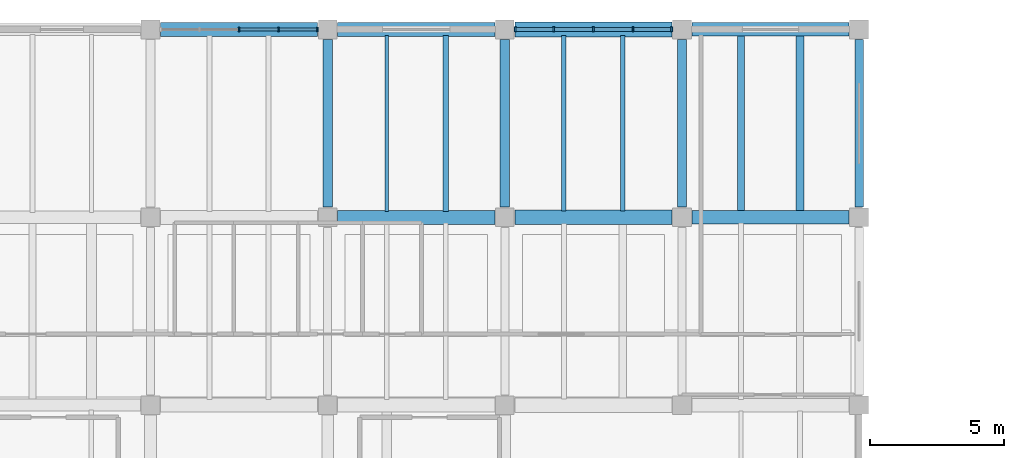
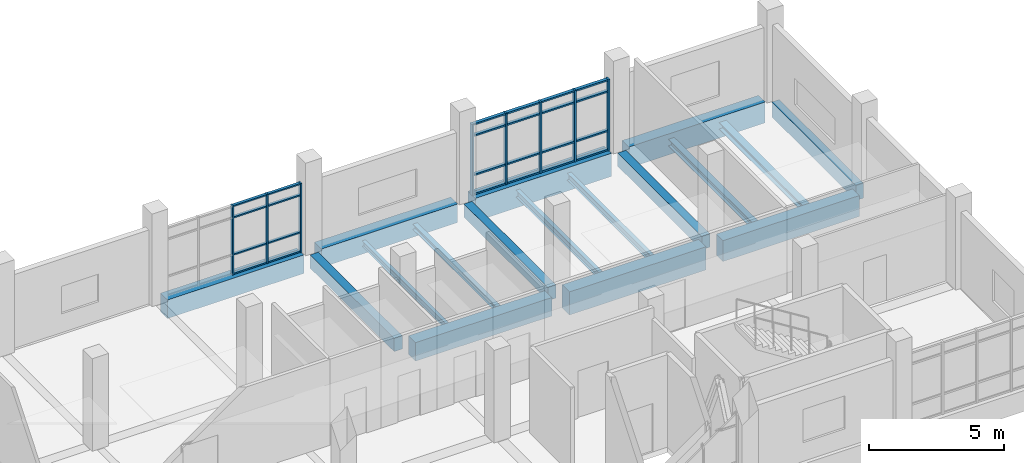
# One storey, part 7 of 20: 32 members, 17 beams, 2 elements without a shape of their own.
"""IFC4 building model written with IfcOpenShell, lengths in metres."""

from ifc_helpers import new_model, si_unit, direction, frame, origin, origin_2d, place, context, subcontext, project, spatial, rectangle, i_section, extrude, material, material_profile, profile_set, type_object, element, aggregate, save


model = new_model("IFC4")

# Units and contexts
model_context = context("Model", 3, precision=1e-05, world=origin(), true_north=direction((0.0, 1.0)))
body_context = subcontext(model_context, "Body", "Model", "MODEL_VIEW")
ifc_project = project(units=[si_unit("LENGTHUNIT", "METRE"), si_unit("AREAUNIT", "SQUARE_METRE"), si_unit("VOLUMEUNIT", "CUBIC_METRE"), si_unit("PLANEANGLEUNIT", "RADIAN"), si_unit("MASSUNIT", "GRAM", prefix="KILO")], contexts=[model_context])

# Site, building, storey
site_placement = place(None, origin())
site = spatial("IfcSite", under=ifc_project, at=site_placement, CompositionType="ELEMENT")
building_placement = place(site_placement, origin())
building = spatial("IfcBuilding", under=site, at=building_placement, Name="Ciguamira Faculty of Natural Sciences", CompositionType="ELEMENT")
storey_placement = place(building_placement, frame((0.0, 0.0, 21.0)))
storey = spatial("IfcBuildingStorey", under=building, at=storey_placement, Name="L05", CompositionType="ELEMENT", Elevation=21.0)

# Curtain wall, members
ifc_material_1 = material(Name="Anodized aluminium curtain wall", Category="aluminium")
curtain_wall_type_1 = type_object("IfcCurtainWallType", Name="CurtainWall_CW-07", PredefinedType="USERDEFINED", material=ifc_material_1)
curtain_wall_1_placement = place(storey_placement, origin())
curtain_wall_1 = element("IfcCurtainWall", 1, at=curtain_wall_1_placement, inside=storey, type_object=curtain_wall_type_1, Name="L05 unitised curtain wall 0139", ObjectType="UNITISED CURTAIN WALL", PredefinedType="USERDEFINED")
ifc_material_2 = material(Name="Anodized aluminium mullion", Category="aluminium")
ifc_material_profile_1 = material_profile(ifc_material_2, rectangle(XDim=0.06005859375, YDim=0.159912109375, at=origin_2d()), Name="ALU-MUL-60X160")
ifc_profile_set_1 = profile_set([ifc_material_profile_1], Name="Anodized aluminium mullion")
member_type_1 = type_object("IfcMemberType", Name="CWMullion_CWM-01", PredefinedType="MULLION", material=ifc_profile_set_1)
member_1_placement = place(storey_placement, frame((87.0, 115.0, 0.0), z_axis=(0.0, 0.0, 1.0), x_axis=(1.0, 0.0, 0.0)))
member_1 = element("IfcMember", 2, at=member_1_placement, type_object=member_type_1, Name="CW-07 mullion 3", PredefinedType="MULLION", context=body_context, shape_type="SweptSolid", body=[
    extrude(rectangle(XDim=0.06005859375, YDim=0.159912109375, at=origin_2d()), origin(), (0.0, 0.0, 1.0), 3.135009765625),
])
member_2_placement = place(storey_placement, frame((88.47509765625, 115.0, 0.0), z_axis=(0.0, 0.0, 1.0), x_axis=(1.0, 0.0, 0.0)))
member_2 = element("IfcMember", 3, at=member_2_placement, type_object=member_type_1, Name="CW-07 mullion 4", PredefinedType="MULLION", context=body_context, shape_type="SweptSolid", body=[
    extrude(rectangle(XDim=0.06005859375, YDim=0.159912109375, at=origin_2d()), origin(), (0.0, 0.0, 1.0), 3.135009765625),
])
member_3_placement = place(storey_placement, frame((89.919921875, 115.0, 0.0), z_axis=(0.0, 0.0, 1.0), x_axis=(1.0, 0.0, 0.0)))
member_3 = element("IfcMember", 4, at=member_3_placement, type_object=member_type_1, Name="CW-07 mullion 5", PredefinedType="MULLION", context=body_context, shape_type="SweptSolid", body=[
    extrude(rectangle(XDim=0.06005859375, YDim=0.159912109375, at=origin_2d()), origin(), (0.0, 0.0, 1.0), 3.135009765625),
])

curtain_wall_type_2 = type_object("IfcCurtainWallType", Name="CurtainWall_CW-08", PredefinedType="USERDEFINED", material=ifc_material_1)
curtain_wall_2_placement = place(storey_placement, origin())
curtain_wall_2 = element("IfcCurtainWall", 5, at=curtain_wall_2_placement, inside=storey, type_object=curtain_wall_type_2, Name="L05 unitised curtain wall 0140", ObjectType="UNITISED CURTAIN WALL", PredefinedType="USERDEFINED")
ifc_material_profile_2 = material_profile(ifc_material_2, rectangle(XDim=0.070068359375, YDim=0.179931640625, at=origin_2d()), Name="ALU-MUL-70X180")
ifc_profile_set_2 = profile_set([ifc_material_profile_2], Name="Anodized aluminium mullion")
member_type_2 = type_object("IfcMemberType", Name="CWMullion_CWM-02", PredefinedType="MULLION", material=ifc_profile_set_2)
member_4_placement = place(storey_placement, frame((97.284912109375, 115.0, 0.0), z_axis=(0.0, 0.0, 1.0), x_axis=(1.0, 0.0, 0.0)))
member_4 = element("IfcMember", 6, at=member_4_placement, type_object=member_type_2, Name="CW-08 mullion 1", PredefinedType="MULLION", context=body_context, shape_type="SweptSolid", body=[
    extrude(rectangle(XDim=0.070068359375, YDim=0.179931640625, at=origin_2d()), origin(), (0.0, 0.0, 1.0), 3.235107421875),
])
member_5_placement = place(storey_placement, frame((98.72509765625, 115.0, 0.0), z_axis=(0.0, 0.0, 1.0), x_axis=(1.0, 0.0, 0.0)))
member_5 = element("IfcMember", 7, at=member_5_placement, type_object=member_type_2, Name="CW-08 mullion 2", PredefinedType="MULLION", context=body_context, shape_type="SweptSolid", body=[
    extrude(rectangle(XDim=0.070068359375, YDim=0.179931640625, at=origin_2d()), origin(), (0.0, 0.0, 1.0), 3.235107421875),
])
member_6_placement = place(storey_placement, frame((100.199951171875, 115.0, 0.0), z_axis=(0.0, 0.0, 1.0), x_axis=(1.0, 0.0, 0.0)))
member_6 = element("IfcMember", 8, at=member_6_placement, type_object=member_type_2, Name="CW-08 mullion 3", PredefinedType="MULLION", context=body_context, shape_type="SweptSolid", body=[
    extrude(rectangle(XDim=0.070068359375, YDim=0.179931640625, at=origin_2d()), origin(), (0.0, 0.0, 1.0), 3.235107421875),
])
member_7_placement = place(storey_placement, frame((101.675048828125, 115.0, 0.0), z_axis=(0.0, 0.0, 1.0), x_axis=(1.0, 0.0, 0.0)))
member_7 = element("IfcMember", 9, at=member_7_placement, type_object=member_type_2, Name="CW-08 mullion 4", PredefinedType="MULLION", context=body_context, shape_type="SweptSolid", body=[
    extrude(rectangle(XDim=0.070068359375, YDim=0.179931640625, at=origin_2d()), origin(), (0.0, 0.0, 1.0), 3.235107421875),
])
member_8_placement = place(storey_placement, frame((103.114990234375, 115.0, 0.0), z_axis=(0.0, 0.0, 1.0), x_axis=(1.0, 0.0, 0.0)))
member_8 = element("IfcMember", 10, at=member_8_placement, type_object=member_type_2, Name="CW-08 mullion 5", PredefinedType="MULLION", context=body_context, shape_type="SweptSolid", body=[
    extrude(rectangle(XDim=0.070068359375, YDim=0.179931640625, at=origin_2d()), origin(), (0.0, 0.0, 1.0), 3.235107421875),
])

# Member
ifc_material_3 = material(Name="Anodized aluminium transom", Category="aluminium")
ifc_material_profile_3 = material_profile(ifc_material_3, rectangle(XDim=0.06005859375, YDim=0.1201171875, at=origin_2d()), Name="ALU-TRN-60X120")
ifc_profile_set_3 = profile_set([ifc_material_profile_3], Name="Anodized aluminium transom")
member_type_3 = type_object("IfcMemberType", Name="CWTransom_CWT-01", PredefinedType="USERDEFINED", material=ifc_profile_set_3)
member_9_placement = place(storey_placement, frame((87.030029296875, 115.0, 0.030029296875), z_axis=(1.0, 0.0, 0.0), x_axis=(0.0, 0.0, 1.0)))
member_9 = element("IfcMember", 11, at=member_9_placement, type_object=member_type_3, Name="CW-07 transom 3.1", ObjectType="TRANSOM", PredefinedType="USERDEFINED", context=body_context, shape_type="SweptSolid", body=[
    extrude(rectangle(XDim=0.06005859375, YDim=0.1201171875, at=origin_2d()), origin(), (0.0, 0.0, 1.0), 1.4150390625),
])

member_10_placement = place(storey_placement, frame((87.030029296875, 115.0, 0.89990234375), z_axis=(1.0, 0.0, 0.0), x_axis=(0.0, 0.0, 1.0)))
member_10 = element("IfcMember", 12, at=member_10_placement, type_object=member_type_3, Name="CW-07 transom 3.2", ObjectType="TRANSOM", PredefinedType="USERDEFINED", context=body_context, shape_type="SweptSolid", body=[
    extrude(rectangle(XDim=0.06005859375, YDim=0.1201171875, at=origin_2d()), origin(), (0.0, 0.0, 1.0), 1.4150390625),
])

member_11_placement = place(storey_placement, frame((87.030029296875, 115.0, 2.5849609375), z_axis=(1.0, 0.0, 0.0), x_axis=(0.0, 0.0, 1.0)))
member_11 = element("IfcMember", 13, at=member_11_placement, type_object=member_type_3, Name="CW-07 transom 3.3", ObjectType="TRANSOM", PredefinedType="USERDEFINED", context=body_context, shape_type="SweptSolid", body=[
    extrude(rectangle(XDim=0.06005859375, YDim=0.1201171875, at=origin_2d()), origin(), (0.0, 0.0, 1.0), 1.4150390625),
])

member_12_placement = place(storey_placement, frame((87.030029296875, 115.0, 3.10498046875), z_axis=(1.0, 0.0, 0.0), x_axis=(0.0, 0.0, 1.0)))
member_12 = element("IfcMember", 14, at=member_12_placement, type_object=member_type_3, Name="CW-07 transom 3.4", ObjectType="TRANSOM", PredefinedType="USERDEFINED", context=body_context, shape_type="SweptSolid", body=[
    extrude(rectangle(XDim=0.06005859375, YDim=0.1201171875, at=origin_2d()), origin(), (0.0, 0.0, 1.0), 1.4150390625),
])

member_13_placement = place(storey_placement, frame((88.5048828125, 115.0, 0.030029296875), z_axis=(1.0, 0.0, 0.0), x_axis=(0.0, 0.0, 1.0)))
member_13 = element("IfcMember", 15, at=member_13_placement, type_object=member_type_3, Name="CW-07 transom 4.1", ObjectType="TRANSOM", PredefinedType="USERDEFINED", context=body_context, shape_type="SweptSolid", body=[
    extrude(rectangle(XDim=0.06005859375, YDim=0.1201171875, at=origin_2d()), origin(), (0.0, 0.0, 1.0), 1.385009765625),
])

member_14_placement = place(storey_placement, frame((88.5048828125, 115.0, 0.89990234375), z_axis=(1.0, 0.0, 0.0), x_axis=(0.0, 0.0, 1.0)))
member_14 = element("IfcMember", 16, at=member_14_placement, type_object=member_type_3, Name="CW-07 transom 4.2", ObjectType="TRANSOM", PredefinedType="USERDEFINED", context=body_context, shape_type="SweptSolid", body=[
    extrude(rectangle(XDim=0.06005859375, YDim=0.1201171875, at=origin_2d()), origin(), (0.0, 0.0, 1.0), 1.385009765625),
])

member_15_placement = place(storey_placement, frame((88.5048828125, 115.0, 2.5849609375), z_axis=(1.0, 0.0, 0.0), x_axis=(0.0, 0.0, 1.0)))
member_15 = element("IfcMember", 17, at=member_15_placement, type_object=member_type_3, Name="CW-07 transom 4.3", ObjectType="TRANSOM", PredefinedType="USERDEFINED", context=body_context, shape_type="SweptSolid", body=[
    extrude(rectangle(XDim=0.06005859375, YDim=0.1201171875, at=origin_2d()), origin(), (0.0, 0.0, 1.0), 1.385009765625),
])

member_16_placement = place(storey_placement, frame((88.5048828125, 115.0, 3.10498046875), z_axis=(1.0, 0.0, 0.0), x_axis=(0.0, 0.0, 1.0)))
member_16 = element("IfcMember", 18, at=member_16_placement, type_object=member_type_3, Name="CW-07 transom 4.4", ObjectType="TRANSOM", PredefinedType="USERDEFINED", context=body_context, shape_type="SweptSolid", body=[
    extrude(rectangle(XDim=0.06005859375, YDim=0.1201171875, at=origin_2d()), origin(), (0.0, 0.0, 1.0), 1.385009765625),
])

aggregate(curtain_wall_1, [member_1, member_2, member_3, member_9, member_10, member_11, member_12, member_13, member_14, member_15, member_16])

ifc_material_profile_4 = material_profile(ifc_material_3, rectangle(XDim=0.070068359375, YDim=0.139892578125, at=origin_2d()), Name="ALU-TRN-70X140")
ifc_profile_set_4 = profile_set([ifc_material_profile_4], Name="Anodized aluminium transom")
member_type_4 = type_object("IfcMemberType", Name="CWTransom_CWT-02", PredefinedType="USERDEFINED", material=ifc_profile_set_4)
member_17_placement = place(storey_placement, frame((97.320068359375, 115.0, 0.034912109375), z_axis=(1.0, 0.0, 0.0), x_axis=(0.0, 0.0, 1.0)))
member_17 = element("IfcMember", 19, at=member_17_placement, type_object=member_type_4, Name="CW-08 transom 1.1", ObjectType="TRANSOM", PredefinedType="USERDEFINED", context=body_context, shape_type="SweptSolid", body=[
    extrude(rectangle(XDim=0.070068359375, YDim=0.139892578125, at=origin_2d()), origin(), (0.0, 0.0, 1.0), 1.369873046875),
])

member_18_placement = place(storey_placement, frame((97.320068359375, 115.0, 0.89990234375), z_axis=(1.0, 0.0, 0.0), x_axis=(0.0, 0.0, 1.0)))
member_18 = element("IfcMember", 20, at=member_18_placement, type_object=member_type_4, Name="CW-08 transom 1.2", ObjectType="TRANSOM", PredefinedType="USERDEFINED", context=body_context, shape_type="SweptSolid", body=[
    extrude(rectangle(XDim=0.070068359375, YDim=0.139892578125, at=origin_2d()), origin(), (0.0, 0.0, 1.0), 1.369873046875),
])

member_19_placement = place(storey_placement, frame((97.320068359375, 115.0, 2.68505859375), z_axis=(1.0, 0.0, 0.0), x_axis=(0.0, 0.0, 1.0)))
member_19 = element("IfcMember", 21, at=member_19_placement, type_object=member_type_4, Name="CW-08 transom 1.3", ObjectType="TRANSOM", PredefinedType="USERDEFINED", context=body_context, shape_type="SweptSolid", body=[
    extrude(rectangle(XDim=0.070068359375, YDim=0.139892578125, at=origin_2d()), origin(), (0.0, 0.0, 1.0), 1.369873046875),
])

member_20_placement = place(storey_placement, frame((97.320068359375, 115.0, 3.199951171875), z_axis=(1.0, 0.0, 0.0), x_axis=(0.0, 0.0, 1.0)))
member_20 = element("IfcMember", 22, at=member_20_placement, type_object=member_type_4, Name="CW-08 transom 1.4", ObjectType="TRANSOM", PredefinedType="USERDEFINED", context=body_context, shape_type="SweptSolid", body=[
    extrude(rectangle(XDim=0.070068359375, YDim=0.139892578125, at=origin_2d()), origin(), (0.0, 0.0, 1.0), 1.369873046875),
])

member_21_placement = place(storey_placement, frame((98.760009765625, 115.0, 0.034912109375), z_axis=(1.0, 0.0, 0.0), x_axis=(0.0, 0.0, 1.0)))
member_21 = element("IfcMember", 23, at=member_21_placement, type_object=member_type_4, Name="CW-08 transom 2.1", ObjectType="TRANSOM", PredefinedType="USERDEFINED", context=body_context, shape_type="SweptSolid", body=[
    extrude(rectangle(XDim=0.070068359375, YDim=0.139892578125, at=origin_2d()), origin(), (0.0, 0.0, 1.0), 1.405029296875),
])

member_22_placement = place(storey_placement, frame((98.760009765625, 115.0, 0.89990234375), z_axis=(1.0, 0.0, 0.0), x_axis=(0.0, 0.0, 1.0)))
member_22 = element("IfcMember", 24, at=member_22_placement, type_object=member_type_4, Name="CW-08 transom 2.2", ObjectType="TRANSOM", PredefinedType="USERDEFINED", context=body_context, shape_type="SweptSolid", body=[
    extrude(rectangle(XDim=0.070068359375, YDim=0.139892578125, at=origin_2d()), origin(), (0.0, 0.0, 1.0), 1.405029296875),
])

member_23_placement = place(storey_placement, frame((98.760009765625, 115.0, 2.68505859375), z_axis=(1.0, 0.0, 0.0), x_axis=(0.0, 0.0, 1.0)))
member_23 = element("IfcMember", 25, at=member_23_placement, type_object=member_type_4, Name="CW-08 transom 2.3", ObjectType="TRANSOM", PredefinedType="USERDEFINED", context=body_context, shape_type="SweptSolid", body=[
    extrude(rectangle(XDim=0.070068359375, YDim=0.139892578125, at=origin_2d()), origin(), (0.0, 0.0, 1.0), 1.405029296875),
])

member_24_placement = place(storey_placement, frame((98.760009765625, 115.0, 3.199951171875), z_axis=(1.0, 0.0, 0.0), x_axis=(0.0, 0.0, 1.0)))
member_24 = element("IfcMember", 26, at=member_24_placement, type_object=member_type_4, Name="CW-08 transom 2.4", ObjectType="TRANSOM", PredefinedType="USERDEFINED", context=body_context, shape_type="SweptSolid", body=[
    extrude(rectangle(XDim=0.070068359375, YDim=0.139892578125, at=origin_2d()), origin(), (0.0, 0.0, 1.0), 1.405029296875),
])

member_25_placement = place(storey_placement, frame((100.235107421875, 115.0, 0.034912109375), z_axis=(1.0, 0.0, 0.0), x_axis=(0.0, 0.0, 1.0)))
member_25 = element("IfcMember", 27, at=member_25_placement, type_object=member_type_4, Name="CW-08 transom 3.1", ObjectType="TRANSOM", PredefinedType="USERDEFINED", context=body_context, shape_type="SweptSolid", body=[
    extrude(rectangle(XDim=0.070068359375, YDim=0.139892578125, at=origin_2d()), origin(), (0.0, 0.0, 1.0), 1.40478515625),
])

member_26_placement = place(storey_placement, frame((100.235107421875, 115.0, 0.89990234375), z_axis=(1.0, 0.0, 0.0), x_axis=(0.0, 0.0, 1.0)))
member_26 = element("IfcMember", 28, at=member_26_placement, type_object=member_type_4, Name="CW-08 transom 3.2", ObjectType="TRANSOM", PredefinedType="USERDEFINED", context=body_context, shape_type="SweptSolid", body=[
    extrude(rectangle(XDim=0.070068359375, YDim=0.139892578125, at=origin_2d()), origin(), (0.0, 0.0, 1.0), 1.40478515625),
])

member_27_placement = place(storey_placement, frame((100.235107421875, 115.0, 2.68505859375), z_axis=(1.0, 0.0, 0.0), x_axis=(0.0, 0.0, 1.0)))
member_27 = element("IfcMember", 29, at=member_27_placement, type_object=member_type_4, Name="CW-08 transom 3.3", ObjectType="TRANSOM", PredefinedType="USERDEFINED", context=body_context, shape_type="SweptSolid", body=[
    extrude(rectangle(XDim=0.070068359375, YDim=0.139892578125, at=origin_2d()), origin(), (0.0, 0.0, 1.0), 1.40478515625),
])

member_28_placement = place(storey_placement, frame((100.235107421875, 115.0, 3.199951171875), z_axis=(1.0, 0.0, 0.0), x_axis=(0.0, 0.0, 1.0)))
member_28 = element("IfcMember", 30, at=member_28_placement, type_object=member_type_4, Name="CW-08 transom 3.4", ObjectType="TRANSOM", PredefinedType="USERDEFINED", context=body_context, shape_type="SweptSolid", body=[
    extrude(rectangle(XDim=0.070068359375, YDim=0.139892578125, at=origin_2d()), origin(), (0.0, 0.0, 1.0), 1.40478515625),
])

member_29_placement = place(storey_placement, frame((101.7099609375, 115.0, 0.034912109375), z_axis=(1.0, 0.0, 0.0), x_axis=(0.0, 0.0, 1.0)))
member_29 = element("IfcMember", 31, at=member_29_placement, type_object=member_type_4, Name="CW-08 transom 4.1", ObjectType="TRANSOM", PredefinedType="USERDEFINED", context=body_context, shape_type="SweptSolid", body=[
    extrude(rectangle(XDim=0.070068359375, YDim=0.139892578125, at=origin_2d()), origin(), (0.0, 0.0, 1.0), 1.3701171875),
])

member_30_placement = place(storey_placement, frame((101.7099609375, 115.0, 0.89990234375), z_axis=(1.0, 0.0, 0.0), x_axis=(0.0, 0.0, 1.0)))
member_30 = element("IfcMember", 32, at=member_30_placement, type_object=member_type_4, Name="CW-08 transom 4.2", ObjectType="TRANSOM", PredefinedType="USERDEFINED", context=body_context, shape_type="SweptSolid", body=[
    extrude(rectangle(XDim=0.070068359375, YDim=0.139892578125, at=origin_2d()), origin(), (0.0, 0.0, 1.0), 1.3701171875),
])

member_31_placement = place(storey_placement, frame((101.7099609375, 115.0, 2.68505859375), z_axis=(1.0, 0.0, 0.0), x_axis=(0.0, 0.0, 1.0)))
member_31 = element("IfcMember", 33, at=member_31_placement, type_object=member_type_4, Name="CW-08 transom 4.3", ObjectType="TRANSOM", PredefinedType="USERDEFINED", context=body_context, shape_type="SweptSolid", body=[
    extrude(rectangle(XDim=0.070068359375, YDim=0.139892578125, at=origin_2d()), origin(), (0.0, 0.0, 1.0), 1.3701171875),
])

member_32_placement = place(storey_placement, frame((101.7099609375, 115.0, 3.199951171875), z_axis=(1.0, 0.0, 0.0), x_axis=(0.0, 0.0, 1.0)))
member_32 = element("IfcMember", 34, at=member_32_placement, type_object=member_type_4, Name="CW-08 transom 4.4", ObjectType="TRANSOM", PredefinedType="USERDEFINED", context=body_context, shape_type="SweptSolid", body=[
    extrude(rectangle(XDim=0.070068359375, YDim=0.139892578125, at=origin_2d()), origin(), (0.0, 0.0, 1.0), 1.3701171875),
])

aggregate(curtain_wall_2, [member_4, member_5, member_6, member_7, member_8, member_17, member_18, member_19, member_20, member_21, member_22, member_23, member_24, member_25, member_26, member_27, member_28, member_29, member_30, member_31, member_32])

# Beams
ifc_material_4 = material(Name="Concrete C40/50", Category="concrete")
ifc_material_profile_5 = material_profile(ifc_material_4, rectangle(XDim=0.550048828125, YDim=1.050048828125, at=origin_2d()), Name="RC-BM-550X1050")
ifc_profile_set_5 = profile_set([ifc_material_profile_5], Name="Concrete C40/50")
beam_type_1 = type_object("IfcBeamType", Name="RCBeam_BG-01_RC-BM-550X1050", PredefinedType="BEAM", material=ifc_profile_set_5)
for number, where, z_axis, x_axis, name in (
    (35, (97.27490234375, 108.0, -0.52490234375), (1.0, 0.0, 0.0), (0.0, 1.0, 0.0), "L05 RC girder EW-1463"),
    (36, (97.27490234375, 115.0, -0.52490234375), (1.0, 0.0, 0.0), (0.0, 1.0, 0.0), "L05 RC girder EW-1471"),
):
    element("IfcBeam", number, at=place(storey_placement, frame(where, z_axis=z_axis, x_axis=x_axis)), inside=storey, type_object=beam_type_1, Name=name, PredefinedType="BEAM", context=body_context, shape_type="SweptSolid", body=[
        extrude(rectangle(XDim=0.550048828125, YDim=1.050048828125, at=origin_2d()), origin(), (0.0, 0.0, 1.0), 5.85009765625),
    ])
ifc_material_profile_6 = material_profile(ifc_material_4, rectangle(XDim=0.5, YDim=0.949951171875, at=origin_2d()), Name="RC-BM-500X950")
ifc_profile_set_6 = profile_set([ifc_material_profile_6], Name="Concrete C40/50")
beam_type_2 = type_object("IfcBeamType", Name="RCBeam_BG-02_RC-BM-500X950", PredefinedType="BEAM", material=ifc_profile_set_6)
for number, where, z_axis, x_axis, name in (
    (37, (103.875, 108.0, -0.47509765625), (1.0, 0.0, 0.0), (0.0, 1.0, 0.0), "L05 RC girder EW-1464"),
    (38, (103.875, 115.0, -0.47509765625), (1.0, 0.0, 0.0), (0.0, 1.0, 0.0), "L05 RC girder EW-1472"),
):
    element("IfcBeam", number, at=place(storey_placement, frame(where, z_axis=z_axis, x_axis=x_axis)), inside=storey, type_object=beam_type_2, Name=name, PredefinedType="BEAM", context=body_context, shape_type="SweptSolid", body=[
        extrude(rectangle(XDim=0.5, YDim=0.949951171875, at=origin_2d()), origin(), (0.0, 0.0, 1.0), 5.85009765625),
    ])
ifc_material_profile_7 = material_profile(ifc_material_4, rectangle(XDim=0.35009765625, YDim=0.60009765625, at=origin_2d()), Name="RC-BM-350X600")
ifc_profile_set_7 = profile_set([ifc_material_profile_7], Name="Concrete C40/50")
beam_type_3 = type_object("IfcBeamType", Name="RCBeam_BG-11_RC-BM-350X600", PredefinedType="BEAM", material=ifc_profile_set_7)
for number, where, z_axis, x_axis, name in (
    (39, (90.300048828125, 108.375, -0.300048828125), (0.0, 1.0, 0.0), (-1.0, 0.0, 0.0), "L05 girder NS-1488"),
    (40, (96.89990234375, 108.375, -0.300048828125), (0.0, 1.0, 0.0), (-1.0, 0.0, 0.0), "L05 girder NS-1490"),
    (41, (103.5, 108.375, -0.300048828125), (0.0, 1.0, 0.0), (-1.0, 0.0, 0.0), "L05 girder NS-1492"),
):
    element("IfcBeam", number, at=place(storey_placement, frame(where, z_axis=z_axis, x_axis=x_axis)), inside=storey, type_object=beam_type_3, Name=name, PredefinedType="BEAM", context=body_context, shape_type="SweptSolid", body=[
        extrude(rectangle(XDim=0.35009765625, YDim=0.60009765625, at=origin_2d()), origin(), (0.0, 0.0, 1.0), 6.25),
    ])
ifc_material_5 = material(Name="Precast concrete C40/50", Category="concrete")
ifc_material_profile_8 = material_profile(ifc_material_5, rectangle(XDim=0.320068359375, YDim=0.679931640625, at=origin_2d()), Name="RC-SP-320X680")
ifc_profile_set_8 = profile_set([ifc_material_profile_8], Name="Precast concrete C40/50")
beam_type_4 = type_object("IfcBeamType", Name="RCBeam_SP-02_RC-SP-320X680", PredefinedType="SPANDREL", material=ifc_profile_set_8)
beam_1_placement = place(storey_placement, frame((110.10009765625, 108.375, -0.340087890625), z_axis=(0.0, 1.0, 0.0), x_axis=(-1.0, 0.0, 0.0)))
element("IfcBeam", 42, at=beam_1_placement, inside=storey, type_object=beam_type_4, Name="L05 girder NS-1495", PredefinedType="SPANDREL", context=body_context, shape_type="SweptSolid", body=[
    extrude(rectangle(XDim=0.320068359375, YDim=0.679931640625, at=origin_2d()), origin(), (0.0, 0.0, 1.0), 6.25),
])
ifc_material_profile_9 = material_profile(ifc_material_4, rectangle(XDim=0.52001953125, YDim=0.840087890625, at=origin_2d()), Name="RC-TB-520X840")
ifc_profile_set_9 = profile_set([ifc_material_profile_9], Name="Concrete C40/50")
beam_type_5 = type_object("IfcBeamType", Name="RCBeam_TB-02_RC-TB-520X840", PredefinedType="T_BEAM", material=ifc_profile_set_9)
beam_2_placement = place(storey_placement, frame((90.675048828125, 108.0, -0.419921875), z_axis=(1.0, 0.0, 0.0), x_axis=(0.0, 1.0, 0.0)))
element("IfcBeam", 43, at=beam_2_placement, inside=storey, type_object=beam_type_5, Name="L05 RC girder EW-1462", PredefinedType="T_BEAM", context=body_context, shape_type="SweptSolid", body=[
    extrude(rectangle(XDim=0.52001953125, YDim=0.840087890625, at=origin_2d()), origin(), (0.0, 0.0, 1.0), 5.849853515625),
])
beam_3_placement = place(storey_placement, frame((84.074951171875, 115.0, -0.419921875), z_axis=(1.0, 0.0, 0.0), x_axis=(0.0, 1.0, 0.0)))
element("IfcBeam", 44, at=beam_3_placement, inside=storey, type_object=beam_type_5, Name="L05 RC girder EW-1469", PredefinedType="T_BEAM", context=body_context, shape_type="SweptSolid", body=[
    extrude(rectangle(XDim=0.52001953125, YDim=0.840087890625, at=origin_2d()), origin(), (0.0, 0.0, 1.0), 5.85009765625),
])
beam_4_placement = place(storey_placement, frame((90.675048828125, 115.0, -0.419921875), z_axis=(1.0, 0.0, 0.0), x_axis=(0.0, 1.0, 0.0)))
element("IfcBeam", 45, at=beam_4_placement, inside=storey, type_object=beam_type_5, Name="L05 RC girder EW-1470", PredefinedType="T_BEAM", context=body_context, shape_type="SweptSolid", body=[
    extrude(rectangle(XDim=0.52001953125, YDim=0.840087890625, at=origin_2d()), origin(), (0.0, 0.0, 1.0), 5.849853515625),
])
ifc_material_6 = material(Name="Steel ASTM A992 Grade 50", Category="steel")
ifc_material_profile_10 = material_profile(ifc_material_6, i_section(OverallWidth=0.14599609375, OverallDepth=0.259033203125, WebThickness=0.006103515625, FlangeThickness=0.009033203125, at=origin_2d()), Name="W10X22")
ifc_profile_set_10 = profile_set([ifc_material_profile_10], Name="Steel ASTM A992 Grade 50")
beam_type_6 = type_object("IfcBeamType", Name="SteelJoist_SJ-01_W10X22", PredefinedType="JOIST", material=ifc_profile_set_10)
beam_5_placement = place(storey_placement, frame((92.5, 108.219970703125, -0.369384765625), z_axis=(0.0, 1.0, 0.0), x_axis=(-1.0, 0.0, 0.0)))
element("IfcBeam", 46, at=beam_5_placement, inside=storey, type_object=beam_type_6, Name="L05 composite steel joist 01370", PredefinedType="JOIST", context=body_context, shape_type="SweptSolid", body=[
    extrude(i_section(OverallWidth=0.14599609375, OverallDepth=0.259033203125, WebThickness=0.006103515625, FlangeThickness=0.009033203125, at=origin_2d()), origin(), (0.0, 0.0, 1.0), 6.56005859375),
])
ifc_material_profile_11 = material_profile(ifc_material_6, i_section(OverallWidth=0.2021484375, OverallDepth=0.2470703125, WebThickness=0.00732421875, FlangeThickness=0.010986328125, at=origin_2d()), Name="W10X33")
ifc_profile_set_11 = profile_set([ifc_material_profile_11], Name="Steel ASTM A992 Grade 50")
beam_type_7 = type_object("IfcBeamType", Name="SteelJoist_SJ-02_W10X33", PredefinedType="JOIST", material=ifc_profile_set_11)
beam_6_placement = place(storey_placement, frame((94.699951171875, 108.219970703125, -0.363525390625), z_axis=(0.0, 1.0, 0.0), x_axis=(-1.0, 0.0, 0.0)))
element("IfcBeam", 47, at=beam_6_placement, inside=storey, type_object=beam_type_7, Name="L05 composite steel joist 01371", PredefinedType="JOIST", context=body_context, shape_type="SweptSolid", body=[
    extrude(i_section(OverallWidth=0.2021484375, OverallDepth=0.2470703125, WebThickness=0.00732421875, FlangeThickness=0.010986328125, at=origin_2d()), origin(), (0.0, 0.0, 1.0), 6.56005859375),
])
ifc_material_profile_12 = material_profile(ifc_material_6, i_section(OverallWidth=0.164794921875, OverallDepth=0.309814453125, WebThickness=0.005859375, FlangeThickness=0.009765625, at=origin_2d()), Name="W12X26")
ifc_profile_set_12 = profile_set([ifc_material_profile_12], Name="Steel ASTM A992 Grade 50")
beam_type_8 = type_object("IfcBeamType", Name="SteelJoist_SJ-04_W12X26", PredefinedType="JOIST", material=ifc_profile_set_12)
beam_7_placement = place(storey_placement, frame((99.10009765625, 108.235107421875, -0.39501953125), z_axis=(0.0, 1.0, 0.0), x_axis=(-1.0, 0.0, 0.0)))
element("IfcBeam", 48, at=beam_7_placement, inside=storey, type_object=beam_type_8, Name="L05 composite steel joist 01374", PredefinedType="JOIST", context=body_context, shape_type="SweptSolid", body=[
    extrude(i_section(OverallWidth=0.164794921875, OverallDepth=0.309814453125, WebThickness=0.005859375, FlangeThickness=0.009765625, at=origin_2d()), origin(), (0.0, 0.0, 1.0), 6.52978515625),
])
ifc_material_profile_13 = material_profile(ifc_material_6, i_section(OverallWidth=0.16650390625, OverallDepth=0.3173828125, WebThickness=0.007568359375, FlangeThickness=0.01318359375, at=origin_2d()), Name="W12X35")
ifc_profile_set_13 = profile_set([ifc_material_profile_13], Name="Steel ASTM A992 Grade 50")
beam_type_9 = type_object("IfcBeamType", Name="SteelJoist_SJ-05_W12X35", PredefinedType="JOIST", material=ifc_profile_set_13)
beam_8_placement = place(storey_placement, frame((101.300048828125, 108.235107421875, -0.398681640625), z_axis=(0.0, 1.0, 0.0), x_axis=(-1.0, 0.0, 0.0)))
element("IfcBeam", 49, at=beam_8_placement, inside=storey, type_object=beam_type_9, Name="L05 composite steel joist 01375", PredefinedType="JOIST", context=body_context, shape_type="SweptSolid", body=[
    extrude(i_section(OverallWidth=0.16650390625, OverallDepth=0.3173828125, WebThickness=0.007568359375, FlangeThickness=0.01318359375, at=origin_2d()), origin(), (0.0, 0.0, 1.0), 6.52978515625),
])
ifc_material_profile_14 = material_profile(ifc_material_6, i_section(OverallWidth=0.25390625, OverallDepth=0.307373046875, WebThickness=0.0087890625, FlangeThickness=0.0146484375, at=origin_2d()), Name="W12X53")
ifc_profile_set_14 = profile_set([ifc_material_profile_14], Name="Steel ASTM A992 Grade 50")
beam_type_10 = type_object("IfcBeamType", Name="SteelJoist_SJ-07_W12X53", PredefinedType="JOIST", material=ifc_profile_set_14)
beam_9_placement = place(storey_placement, frame((105.699951171875, 108.2099609375, -0.393798828125), z_axis=(0.0, 1.0, 0.0), x_axis=(-1.0, 0.0, 0.0)))
element("IfcBeam", 50, at=beam_9_placement, inside=storey, type_object=beam_type_10, Name="L05 composite steel joist 01380", PredefinedType="JOIST", context=body_context, shape_type="SweptSolid", body=[
    extrude(i_section(OverallWidth=0.25390625, OverallDepth=0.307373046875, WebThickness=0.0087890625, FlangeThickness=0.0146484375, at=origin_2d()), origin(), (0.0, 0.0, 1.0), 6.580078125),
])
ifc_material_profile_15 = material_profile(ifc_material_6, i_section(OverallWidth=0.3046875, OverallDepth=0.307373046875, WebThickness=0.010009765625, FlangeThickness=0.015380859375, at=origin_2d()), Name="W12X65")
ifc_profile_set_15 = profile_set([ifc_material_profile_15], Name="Steel ASTM A992 Grade 50")
beam_type_11 = type_object("IfcBeamType", Name="SteelJoist_SJ-08_W12X65", PredefinedType="JOIST", material=ifc_profile_set_15)
beam_10_placement = place(storey_placement, frame((107.89990234375, 108.2099609375, -0.393798828125), z_axis=(0.0, 1.0, 0.0), x_axis=(-1.0, 0.0, 0.0)))
element("IfcBeam", 51, at=beam_10_placement, inside=storey, type_object=beam_type_11, Name="L05 composite steel joist 01381", PredefinedType="JOIST", context=body_context, shape_type="SweptSolid", body=[
    extrude(i_section(OverallWidth=0.3046875, OverallDepth=0.307373046875, WebThickness=0.010009765625, FlangeThickness=0.015380859375, at=origin_2d()), origin(), (0.0, 0.0, 1.0), 6.580078125),
])

save(model, "model.ifc")
